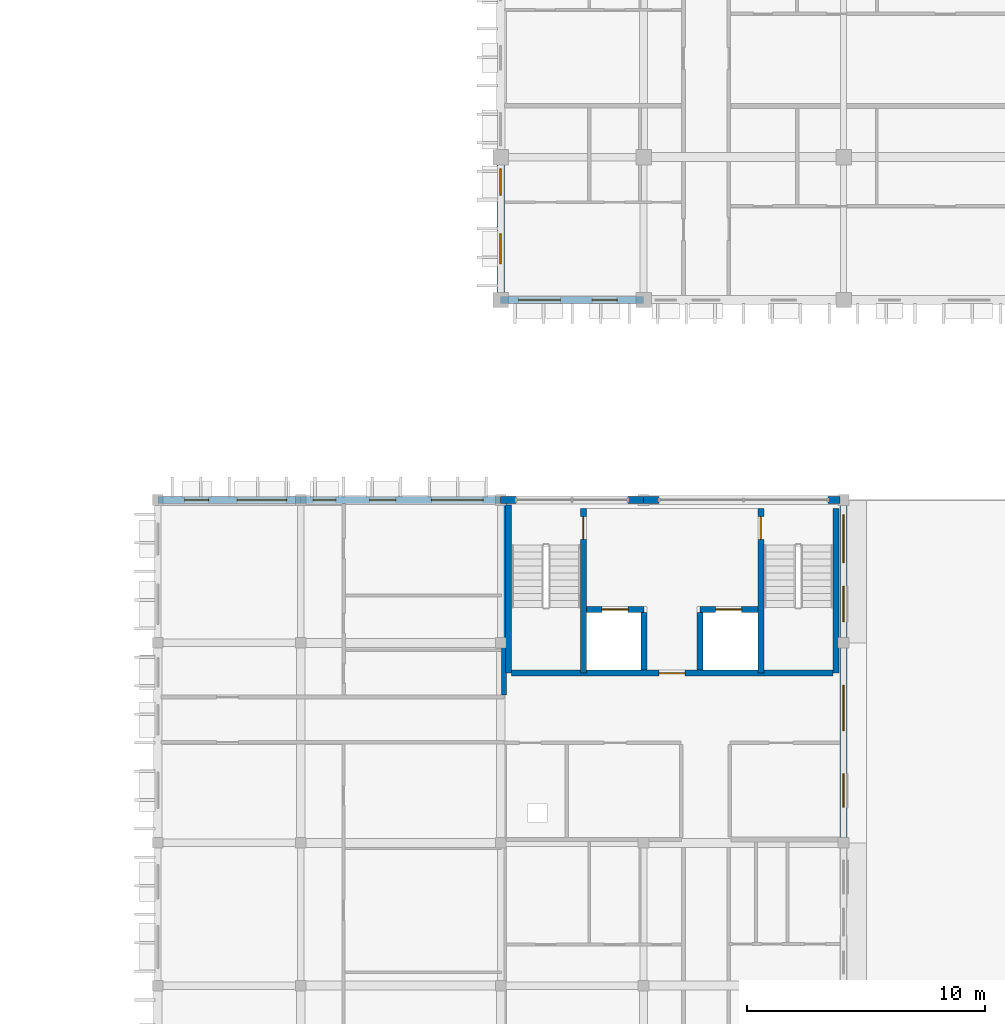
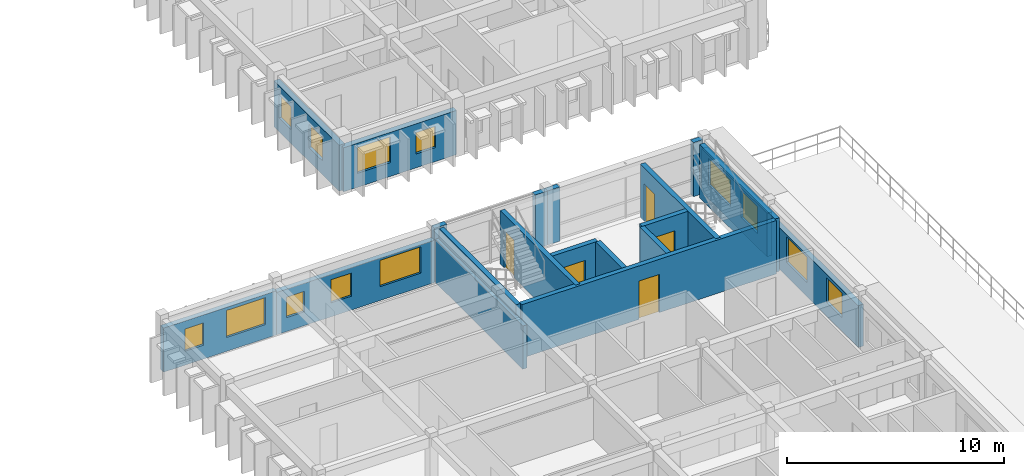
# One storey, part 32 of 66: 20 walls, 13 windows, 5 doors, 18 openings.
"""IFC4 building model written with IfcOpenShell, lengths in metres."""

from ifc_helpers import new_model, si_unit, direction, frame, frame_2d, origin, place, context, subcontext, project, spatial, rectangle, extrude, material, layer, layer_set, type_object, element, fill, save


model = new_model("IFC4")

# Units and contexts
model_context = context("Model", 3, precision=1e-05, world=origin(), true_north=direction((0.0, 1.0)))
body_context = subcontext(model_context, "Body", "Model", "MODEL_VIEW")
ifc_project = project(units=[si_unit("LENGTHUNIT", "METRE"), si_unit("AREAUNIT", "SQUARE_METRE"), si_unit("VOLUMEUNIT", "CUBIC_METRE"), si_unit("PLANEANGLEUNIT", "RADIAN"), si_unit("MASSUNIT", "GRAM", prefix="KILO"), si_unit("THERMODYNAMICTEMPERATUREUNIT", "KELVIN")], contexts=[model_context])

# Site, building, storey
site_placement = place(None, origin())
site = spatial("IfcSite", under=ifc_project, at=site_placement, CompositionType="ELEMENT")
building_placement = place(site_placement, origin())
building = spatial("IfcBuilding", under=site, at=building_placement, Name="Thalorik Housing Commons", CompositionType="ELEMENT")
storey_placement = place(building_placement, frame((0.0, 0.0, 21.300048828125)))
storey = spatial("IfcBuildingStorey", under=building, at=storey_placement, Name="L06", CompositionType="ELEMENT", Elevation=21.300048828125)

# Wall, opening, door
ifc_material_1 = material(Name="Concrete C40/50", Category="concrete")
ifc_layer_1 = layer(ifc_material_1, 0.25, Name="Concrete C40/50", Category="concrete")
ifc_layer_set_1 = layer_set([ifc_layer_1], Name="Concrete C40/50")
wall_type_1 = type_object("IfcWallType", Name="ARC-WAL-CORE-250", PredefinedType="SHEAR", material=ifc_layer_set_1)
wall_1_placement = place(storey_placement, frame((155.875, 71.64990234375, 0.0), z_axis=(0.0, 0.0, 1.0), x_axis=(0.0, -1.0, 0.0)))
wall_1 = element("IfcWall", 1, at=wall_1_placement, inside=storey, type_object=wall_type_1, Name="L06 Core D Stair 1 Shear Wall", PredefinedType="SHEAR", context=body_context, shape_type="SweptSolid", body=[
    extrude(rectangle(XDim=6.9248046875, YDim=0.25, at=frame_2d((3.46240234375, 0.0))), origin(), (0.0, 0.0, 1.0), 3.0),
])
opening_1_placement = place(wall_1_placement, frame((0.35009765625, 0.0, 0.0)))
opening_1 = element("IfcOpeningElement", 2, at=opening_1_placement, cuts=wall_1, Name="Opening ID-0401", PredefinedType="OPENING", context=body_context, shape_type="SweptSolid", body=[
    extrude(rectangle(XDim=0.949951171875, YDim=2.10009765625, at=frame_2d((0.47509765625, 1.050048828125))), frame((0.0, 0.135009765625, 0.0), z_axis=(0.0, -1.0, 0.0), x_axis=(1.0, 0.0, 0.0)), (0.0, 0.0, 1.0), 0.27001953125),
])
ifc_material_2 = material(Name="Steel S355", Category="steel")
door_type_1 = type_object("IfcDoorType", Name="ARC-DR-FD60-950", OperationType="NOTDEFINED", PredefinedType="DOOR", material=ifc_material_2)
door_1_placement = place(opening_1_placement, origin())
door_1 = element("IfcDoor", 3, at=door_1_placement, inside=storey, type_object=door_type_1, Name="L06 Stair ST-D1 Fire Door", OperationType="SINGLE_SWING_RIGHT", OverallHeight=2.10009765625, OverallWidth=0.949951171875, PredefinedType="DOOR", context=body_context, shape_type="SweptSolid", body=[
    extrude(rectangle(XDim=0.949951171875, YDim=2.10009765625, at=frame_2d((0.47509765625, 1.050048828125))), frame((0.0, 0.02490234375, 0.0), z_axis=(0.0, -1.0, 0.0), x_axis=(1.0, 0.0, 0.0)), (0.0, 0.0, 1.0), 0.050048828125),
])
fill(opening_1, door_1)

# Walls
wall_2_placement = place(storey_placement, frame((152.72509765625, 71.800048828125, 0.0), z_axis=(0.0, 0.0, 1.0), x_axis=(0.0, -1.0, 0.0)))
element("IfcWall", 4, at=wall_2_placement, inside=storey, type_object=wall_type_1, Name="L06 Core D Stair 1 Outer Shear Wall", PredefinedType="SHEAR", context=body_context, shape_type="SweptSolid", body=[
    extrude(rectangle(XDim=7.074951171875, YDim=0.25, at=frame_2d((3.53759765625, 0.0))), origin(), (0.0, 0.0, 1.0), 3.0),
])
wall_3_placement = place(storey_placement, frame((166.47509765625, 71.64990234375, 0.0), z_axis=(0.0, 0.0, 1.0), x_axis=(0.0, -1.0, 0.0)))
element("IfcWall", 5, at=wall_3_placement, inside=storey, type_object=wall_type_1, Name="L06 Core D Stair 2 Outer Shear Wall", PredefinedType="SHEAR", context=body_context, shape_type="SweptSolid", body=[
    extrude(rectangle(XDim=6.9248046875, YDim=0.25, at=frame_2d((3.46240234375, 0.0))), origin(), (0.0, 0.0, 1.0), 3.0),
])

# Wall, opening, door
wall_4_placement = place(storey_placement, frame((163.324951171875, 71.64990234375, 0.0), z_axis=(0.0, 0.0, 1.0), x_axis=(0.0, -1.0, 0.0)))
wall_4 = element("IfcWall", 6, at=wall_4_placement, inside=storey, type_object=wall_type_1, Name="L06 Core D Stair 2 Shear Wall", PredefinedType="SHEAR", context=body_context, shape_type="SweptSolid", body=[
    extrude(rectangle(XDim=6.9248046875, YDim=0.25, at=frame_2d((3.46240234375, 0.0))), origin(), (0.0, 0.0, 1.0), 3.0),
])
opening_2_placement = place(wall_4_placement, frame((0.35009765625, 0.0, 0.0)))
opening_2 = element("IfcOpeningElement", 7, at=opening_2_placement, cuts=wall_4, Name="Opening ID-0402", PredefinedType="OPENING", context=body_context, shape_type="SweptSolid", body=[
    extrude(rectangle(XDim=0.949951171875, YDim=2.10009765625, at=frame_2d((0.47509765625, 1.050048828125))), frame((0.0, 0.135009765625, 0.0), z_axis=(0.0, -1.0, 0.0), x_axis=(1.0, 0.0, 0.0)), (0.0, 0.0, 1.0), 0.27001953125),
])
door_2_placement = place(opening_2_placement, origin())
door_2 = element("IfcDoor", 8, at=door_2_placement, inside=storey, type_object=door_type_1, Name="L06 Stair ST-D2 Fire Door", OperationType="SINGLE_SWING_LEFT", OverallHeight=2.10009765625, OverallWidth=0.949951171875, PredefinedType="DOOR", context=body_context, shape_type="SweptSolid", body=[
    extrude(rectangle(XDim=0.949951171875, YDim=2.10009765625, at=frame_2d((0.47509765625, 1.050048828125))), frame((0.0, 0.02490234375, 0.0), z_axis=(0.0, -1.0, 0.0), x_axis=(1.0, 0.0, 0.0)), (0.0, 0.0, 1.0), 0.050048828125),
])
fill(opening_2, door_2)

wall_5_placement = place(storey_placement, frame((156.0, 67.39990234375, 0.0), z_axis=(0.0, 0.0, 1.0), x_axis=(1.0, 0.0, 0.0)))
wall_5 = element("IfcWall", 9, at=wall_5_placement, inside=storey, type_object=wall_type_1, Name="L06 Lift LP-D1 Front Shaft Wall", PredefinedType="SHEAR", context=body_context, shape_type="SweptSolid", body=[
    extrude(rectangle(XDim=2.425048828125, YDim=0.25, at=frame_2d((1.21240234375, 0.0))), origin(), (0.0, 0.0, 1.0), 3.0),
])
opening_3_placement = place(wall_5_placement, frame((0.64990234375, 0.0, 0.0)))
opening_3 = element("IfcOpeningElement", 10, at=opening_3_placement, cuts=wall_5, Name="Opening LD-LP-D1-L06", PredefinedType="OPENING", context=body_context, shape_type="SweptSolid", body=[
    extrude(rectangle(XDim=1.10009765625, YDim=2.14990234375, at=frame_2d((0.550048828125, 1.074951171875))), frame((0.0, 0.135009765625, 0.0), z_axis=(0.0, -1.0, 0.0), x_axis=(1.0, 0.0, 0.0)), (0.0, 0.0, 1.0), 0.27001953125),
])
door_type_2 = type_object("IfcDoorType", Name="ARC-DR-LIFT-1100", OperationType="NOTDEFINED", PredefinedType="DOOR", material=ifc_material_2)
door_3_placement = place(opening_3_placement, origin())
door_3 = element("IfcDoor", 11, at=door_3_placement, inside=storey, type_object=door_type_2, Name="L06 Lift LP-D1 Landing Door", OperationType="SLIDING_TO_LEFT", OverallHeight=2.14990234375, OverallWidth=1.10009765625, PredefinedType="DOOR", context=body_context, shape_type="SweptSolid", body=[
    extrude(rectangle(XDim=1.10009765625, YDim=2.14990234375, at=frame_2d((0.550048828125, 1.074951171875))), frame((0.0, 0.02490234375, 0.0), z_axis=(0.0, -1.0, 0.0), x_axis=(1.0, 0.0, 0.0)), (0.0, 0.0, 1.0), 0.050048828125),
])
fill(opening_3, door_3)

wall_6_placement = place(storey_placement, frame((160.77490234375, 67.39990234375, 0.0), z_axis=(0.0, 0.0, 1.0), x_axis=(1.0, 0.0, 0.0)))
wall_6 = element("IfcWall", 12, at=wall_6_placement, inside=storey, type_object=wall_type_1, Name="L06 Lift LP-D2 Front Shaft Wall", PredefinedType="SHEAR", context=body_context, shape_type="SweptSolid", body=[
    extrude(rectangle(XDim=2.425048828125, YDim=0.25, at=frame_2d((1.21240234375, 0.0))), origin(), (0.0, 0.0, 1.0), 3.0),
])
opening_4_placement = place(wall_6_placement, frame((0.64990234375, 0.0, 0.0)))
opening_4 = element("IfcOpeningElement", 13, at=opening_4_placement, cuts=wall_6, Name="Opening LD-LP-D2-L06", PredefinedType="OPENING", context=body_context, shape_type="SweptSolid", body=[
    extrude(rectangle(XDim=1.10009765625, YDim=2.14990234375, at=frame_2d((0.550048828125, 1.074951171875))), frame((0.0, 0.135009765625, 0.0), z_axis=(0.0, -1.0, 0.0), x_axis=(1.0, 0.0, 0.0)), (0.0, 0.0, 1.0), 0.27001953125),
])
door_4_placement = place(opening_4_placement, origin())
door_4 = element("IfcDoor", 14, at=door_4_placement, inside=storey, type_object=door_type_2, Name="L06 Lift LP-D2 Landing Door", OperationType="SLIDING_TO_LEFT", OverallHeight=2.14990234375, OverallWidth=1.10009765625, PredefinedType="DOOR", context=body_context, shape_type="SweptSolid", body=[
    extrude(rectangle(XDim=1.10009765625, YDim=2.14990234375, at=frame_2d((0.550048828125, 1.074951171875))), frame((0.0, 0.02490234375, 0.0), z_axis=(0.0, -1.0, 0.0), x_axis=(1.0, 0.0, 0.0)), (0.0, 0.0, 1.0), 0.050048828125),
])
fill(opening_4, door_4)

# Walls
for number, where, z_axis, x_axis, name in (
    (15, (158.425048828125, 67.27490234375, 0.0), (0.0, 0.0, 1.0), (0.0, -1.0, 0.0), "L06 Lift 1 Cheek Wall"),
    (16, (160.77490234375, 67.27490234375, 0.0), (0.0, 0.0, 1.0), (0.0, -1.0, 0.0), "L06 Lift 2 Cheek Wall"),
):
    element("IfcWall", number, at=place(storey_placement, frame(where, z_axis=z_axis, x_axis=x_axis)), inside=storey, type_object=wall_type_1, Name=name, PredefinedType="SHEAR", context=body_context, shape_type="SweptSolid", body=[
        extrude(rectangle(XDim=2.4248046875, YDim=0.25, at=frame_2d((1.21240234375, 0.0))), origin(), (0.0, 0.0, 1.0), 3.0),
    ])

# Wall, opening, door
wall_7_placement = place(storey_placement, frame((152.85009765625, 64.72509765625, 0.0), z_axis=(0.0, 0.0, 1.0), x_axis=(1.0, 0.0, 0.0)))
wall_7 = element("IfcWall", 17, at=wall_7_placement, inside=storey, type_object=wall_type_1, Name="L06 Core D Spine Shear Wall", PredefinedType="SHEAR", context=body_context, shape_type="SweptSolid", body=[
    extrude(rectangle(XDim=13.5, YDim=0.25, at=frame_2d((6.75, 0.0))), origin(), (0.0, 0.0, 1.0), 3.0),
])
opening_5_placement = place(wall_7_placement, frame((6.199951171875, 0.0, 0.0)))
opening_5 = element("IfcOpeningElement", 18, at=opening_5_placement, cuts=wall_7, Name="Opening ID-0405", PredefinedType="OPENING", context=body_context, shape_type="SweptSolid", body=[
    extrude(rectangle(XDim=1.10009765625, YDim=2.14990234375, at=frame_2d((0.550048828125, 1.074951171875))), frame((0.0, 0.135009765625, 0.0), z_axis=(0.0, -1.0, 0.0), x_axis=(1.0, 0.0, 0.0)), (0.0, 0.0, 1.0), 0.27001953125),
])
door_type_3 = type_object("IfcDoorType", Name="ARC-DR-FD60-1100", OperationType="NOTDEFINED", PredefinedType="DOOR", material=ifc_material_2)
door_5_placement = place(opening_5_placement, origin())
door_5 = element("IfcDoor", 19, at=door_5_placement, inside=storey, type_object=door_type_3, Name="L06 Core D Lobby Fire Door", OperationType="SINGLE_SWING_RIGHT", OverallHeight=2.14990234375, OverallWidth=1.10009765625, PredefinedType="DOOR", context=body_context, shape_type="SweptSolid", body=[
    extrude(rectangle(XDim=1.10009765625, YDim=2.14990234375, at=frame_2d((0.550048828125, 1.074951171875))), frame((0.0, 0.02490234375, 0.0), z_axis=(0.0, -1.0, 0.0), x_axis=(1.0, 0.0, 0.0)), (0.0, 0.0, 1.0), 0.050048828125),
])
fill(opening_5, door_5)

# Wall, openings, windows
ifc_material_3 = material(Name="White precast concrete C40/50", Category="concrete")
ifc_layer_2 = layer(ifc_material_3, 0.27490234375, Name="White precast concrete C40/50", Category="concrete")
ifc_layer_set_2 = layer_set([ifc_layer_2], Name="White precast concrete C40/50")
wall_type_2 = type_object("IfcWallType", Name="ARC-WAL-EXT-275", PredefinedType="STANDARD", material=ifc_layer_set_2)
wall_8_placement = place(storey_placement, frame((152.39990234375, 72.0, 0.0), z_axis=(0.0, 0.0, 1.0), x_axis=(-1.0, 0.0, 0.0)))
wall_8 = element("IfcWall", 20, at=wall_8_placement, inside=storey, type_object=wall_type_2, Name="L06 Exterior Wall WAL-EXT-L06-D-1225", PredefinedType="STANDARD", context=body_context, shape_type="SweptSolid", body=[
    extrude(rectangle(XDim=8.39990234375, YDim=0.27490234375, at=frame_2d((4.199951171875, 0.0))), origin(), (0.0, 0.0, 1.0), 2.375),
])
opening_6_placement = place(wall_8_placement, frame((0.73486328125, 0.0, 0.780029296875)))
opening_6 = element("IfcOpeningElement", 21, at=opening_6_placement, cuts=wall_8, Name="Opening W-65", PredefinedType="OPENING", context=body_context, shape_type="SweptSolid", body=[
    extrude(rectangle(XDim=2.179931640625, YDim=1.47998046875, at=frame_2d((1.08984375, 0.739990234375))), frame((0.0, 0.1474609375, 0.0), z_axis=(0.0, -1.0, 0.0), x_axis=(1.0, 0.0, 0.0)), (0.0, 0.0, 1.0), 0.294921875),
])
opening_7_placement = place(wall_8_placement, frame((4.40478515625, 0.0, 0.780029296875)))
opening_7 = element("IfcOpeningElement", 22, at=opening_7_placement, cuts=wall_8, Name="Opening W-03", PredefinedType="OPENING", context=body_context, shape_type="SweptSolid", body=[
    extrude(rectangle(XDim=1.10009765625, YDim=1.300048828125, at=frame_2d((0.550048828125, 0.64990234375))), frame((0.0, 0.1474609375, 0.0), z_axis=(0.0, -1.0, 0.0), x_axis=(1.0, 0.0, 0.0)), (0.0, 0.0, 1.0), 0.294921875),
])
opening_8_placement = place(wall_8_placement, frame((6.9248046875, 0.0, 0.780029296875)))
opening_8 = element("IfcOpeningElement", 23, at=opening_8_placement, cuts=wall_8, Name="Opening W-43", PredefinedType="OPENING", context=body_context, shape_type="SweptSolid", body=[
    extrude(rectangle(XDim=0.949951171875, YDim=1.14990234375, at=frame_2d((0.47509765625, 0.574951171875))), frame((0.0, 0.1474609375, 0.0), z_axis=(0.0, -1.0, 0.0), x_axis=(1.0, 0.0, 0.0)), (0.0, 0.0, 1.0), 0.294921875),
])
ifc_material_4 = material(Name="Anodised aluminium and solar-control low-E glass", Category="aluminium")
window_type_1 = type_object("IfcWindowType", Name="ARC-WIN-03", PartitioningType="SINGLE_PANEL", PredefinedType="WINDOW", material=ifc_material_4)
window_1_placement = place(opening_7_placement, origin())
window_1 = element("IfcWindow", 24, at=window_1_placement, inside=storey, type_object=window_type_1, Name="L06 Facade Window 2234", OverallHeight=1.300048828125, OverallWidth=1.10009765625, PartitioningType="SINGLE_PANEL", PredefinedType="WINDOW", context=body_context, shape_type="SweptSolid", body=[
    extrude(rectangle(XDim=1.10009765625, YDim=1.300048828125, at=frame_2d((0.550048828125, 0.64990234375))), frame((0.0, 0.030029296875, 0.0), z_axis=(0.0, -1.0, 0.0), x_axis=(1.0, 0.0, 0.0)), (0.0, 0.0, 1.0), 0.06005859375),
])
fill(opening_7, window_1)
window_type_2 = type_object("IfcWindowType", Name="ARC-WIN-43", PartitioningType="SINGLE_PANEL", PredefinedType="WINDOW", material=ifc_material_4)
window_2_placement = place(opening_8_placement, origin())
window_2 = element("IfcWindow", 25, at=window_2_placement, inside=storey, type_object=window_type_2, Name="L06 Facade Window 2235", OverallHeight=1.14990234375, OverallWidth=0.949951171875, PartitioningType="SINGLE_PANEL", PredefinedType="WINDOW", context=body_context, shape_type="SweptSolid", body=[
    extrude(rectangle(XDim=0.949951171875, YDim=1.14990234375, at=frame_2d((0.47509765625, 0.574951171875))), frame((0.0, 0.030029296875, 0.0), z_axis=(0.0, -1.0, 0.0), x_axis=(1.0, 0.0, 0.0)), (0.0, 0.0, 1.0), 0.06005859375),
])
fill(opening_8, window_2)
window_type_3 = type_object("IfcWindowType", Name="ARC-WIN-65", PartitioningType="DOUBLE_PANEL_VERTICAL", PredefinedType="WINDOW", material=ifc_material_4)
window_3_placement = place(opening_6_placement, origin())
window_3 = element("IfcWindow", 26, at=window_3_placement, inside=storey, type_object=window_type_3, Name="L06 Facade Window 2233", OverallHeight=1.47998046875, OverallWidth=2.179931640625, PartitioningType="DOUBLE_PANEL_VERTICAL", PredefinedType="WINDOW", context=body_context, shape_type="SweptSolid", body=[
    extrude(rectangle(XDim=2.179931640625, YDim=1.47998046875, at=frame_2d((1.08984375, 0.739990234375))), frame((0.0, 0.030029296875, 0.0), z_axis=(0.0, -1.0, 0.0), x_axis=(1.0, 0.0, 0.0)), (0.0, 0.0, 1.0), 0.06005859375),
])
fill(opening_6, window_3)

wall_9_placement = place(storey_placement, frame((144.0, 72.0, 0.0), z_axis=(0.0, 0.0, 1.0), x_axis=(-1.0, 0.0, 0.0)))
wall_9 = element("IfcWall", 27, at=wall_9_placement, inside=storey, type_object=wall_type_2, Name="L06 Exterior Wall WAL-EXT-L06-D-1226", PredefinedType="STANDARD", context=body_context, shape_type="SweptSolid", body=[
    extrude(rectangle(XDim=6.0, YDim=0.27490234375, at=frame_2d((3.0, 0.0))), origin(), (0.0, 0.0, 1.0), 2.474853515625),
])
opening_9_placement = place(wall_9_placement, frame((0.590087890625, 0.0, 0.780029296875)))
opening_9 = element("IfcOpeningElement", 28, at=opening_9_placement, cuts=wall_9, Name="Opening W-63", PredefinedType="OPENING", context=body_context, shape_type="SweptSolid", body=[
    extrude(rectangle(XDim=2.080078125, YDim=1.52001953125, at=frame_2d((1.0400390625, 0.760009765625))), frame((0.0, 0.1474609375, 0.0), z_axis=(0.0, -1.0, 0.0), x_axis=(1.0, 0.0, 0.0)), (0.0, 0.0, 1.0), 0.294921875),
])
opening_10_placement = place(wall_9_placement, frame((3.8701171875, 0.0, 0.780029296875)))
opening_10 = element("IfcOpeningElement", 29, at=opening_10_placement, cuts=wall_9, Name="Opening W-02", PredefinedType="OPENING", context=body_context, shape_type="SweptSolid", body=[
    extrude(rectangle(XDim=1.0, YDim=1.25, at=frame_2d((0.5, 0.625))), frame((0.0, 0.1474609375, 0.0), z_axis=(0.0, -1.0, 0.0), x_axis=(1.0, 0.0, 0.0)), (0.0, 0.0, 1.0), 0.294921875),
])
window_type_4 = type_object("IfcWindowType", Name="ARC-WIN-02", PartitioningType="SINGLE_PANEL", PredefinedType="WINDOW", material=ifc_material_4)
window_4_placement = place(opening_10_placement, origin())
window_4 = element("IfcWindow", 30, at=window_4_placement, inside=storey, type_object=window_type_4, Name="L06 Facade Window 2237", OverallHeight=1.25, OverallWidth=1.0, PartitioningType="SINGLE_PANEL", PredefinedType="WINDOW", context=body_context, shape_type="SweptSolid", body=[
    extrude(rectangle(XDim=1.0, YDim=1.25, at=frame_2d((0.5, 0.625))), frame((0.0, 0.030029296875, 0.0), z_axis=(0.0, -1.0, 0.0), x_axis=(1.0, 0.0, 0.0)), (0.0, 0.0, 1.0), 0.06005859375),
])
fill(opening_10, window_4)
window_type_5 = type_object("IfcWindowType", Name="ARC-WIN-63", PartitioningType="DOUBLE_PANEL_VERTICAL", PredefinedType="WINDOW", material=ifc_material_4)
window_5_placement = place(opening_9_placement, origin())
window_5 = element("IfcWindow", 31, at=window_5_placement, inside=storey, type_object=window_type_5, Name="L06 Facade Window 2236", OverallHeight=1.52001953125, OverallWidth=2.080078125, PartitioningType="DOUBLE_PANEL_VERTICAL", PredefinedType="WINDOW", context=body_context, shape_type="SweptSolid", body=[
    extrude(rectangle(XDim=2.080078125, YDim=1.52001953125, at=frame_2d((1.0400390625, 0.760009765625))), frame((0.0, 0.030029296875, 0.0), z_axis=(0.0, -1.0, 0.0), x_axis=(1.0, 0.0, 0.0)), (0.0, 0.0, 1.0), 0.06005859375),
])
fill(opening_9, window_5)

wall_10_placement = place(storey_placement, frame((166.800048828125, 57.60009765625, 0.0), z_axis=(0.0, 0.0, 1.0), x_axis=(0.0, 1.0, 0.0)))
wall_10 = element("IfcWall", 32, at=wall_10_placement, inside=storey, type_object=wall_type_2, Name="L06 Exterior Wall WAL-EXT-L06-D-1239", PredefinedType="STANDARD", context=body_context, shape_type="SweptSolid", body=[
    extrude(rectangle(XDim=8.39990234375, YDim=0.27490234375, at=frame_2d((4.199951171875, 0.0))), origin(), (0.0, 0.0, 1.0), 2.344970703125),
])
opening_11_placement = place(wall_10_placement, frame((1.485107421875, 0.0, 0.780029296875)))
opening_11 = element("IfcOpeningElement", 33, at=opening_11_placement, cuts=wall_10, Name="Opening W-50", PredefinedType="OPENING", context=body_context, shape_type="SweptSolid", body=[
    extrude(rectangle(XDim=1.419921875, YDim=1.3798828125, at=frame_2d((0.7099609375, 0.68994140625))), frame((0.0, 0.1474609375, 0.0), z_axis=(0.0, -1.0, 0.0), x_axis=(1.0, 0.0, 0.0)), (0.0, 0.0, 1.0), 0.294921875),
])
opening_12_placement = place(wall_10_placement, frame((4.702392578125, 0.0, 0.780029296875)))
opening_12 = element("IfcOpeningElement", 34, at=opening_12_placement, cuts=wall_10, Name="Opening W-60", PredefinedType="OPENING", context=body_context, shape_type="SweptSolid", body=[
    extrude(rectangle(XDim=1.919921875, YDim=1.43994140625, at=frame_2d((0.9599609375, 0.719970703125))), frame((0.0, 0.1474609375, 0.0), z_axis=(0.0, -1.0, 0.0), x_axis=(1.0, 0.0, 0.0)), (0.0, 0.0, 1.0), 0.294921875),
])
window_type_6 = type_object("IfcWindowType", Name="ARC-WIN-50", PartitioningType="SINGLE_PANEL", PredefinedType="WINDOW", material=ifc_material_4)
window_6_placement = place(opening_11_placement, origin())
window_6 = element("IfcWindow", 35, at=window_6_placement, inside=storey, type_object=window_type_6, Name="L06 Facade Window 2262", OverallHeight=1.3798828125, OverallWidth=1.419921875, PartitioningType="SINGLE_PANEL", PredefinedType="WINDOW", context=body_context, shape_type="SweptSolid", body=[
    extrude(rectangle(XDim=1.419921875, YDim=1.3798828125, at=frame_2d((0.7099609375, 0.68994140625))), frame((0.0, 0.030029296875, 0.0), z_axis=(0.0, -1.0, 0.0), x_axis=(1.0, 0.0, 0.0)), (0.0, 0.0, 1.0), 0.06005859375),
])
fill(opening_11, window_6)
window_type_7 = type_object("IfcWindowType", Name="ARC-WIN-60", PartitioningType="DOUBLE_PANEL_VERTICAL", PredefinedType="WINDOW", material=ifc_material_4)
window_7_placement = place(opening_12_placement, origin())
window_7 = element("IfcWindow", 36, at=window_7_placement, inside=storey, type_object=window_type_7, Name="L06 Facade Window 2263", OverallHeight=1.43994140625, OverallWidth=1.919921875, PartitioningType="DOUBLE_PANEL_VERTICAL", PredefinedType="WINDOW", context=body_context, shape_type="SweptSolid", body=[
    extrude(rectangle(XDim=1.919921875, YDim=1.43994140625, at=frame_2d((0.9599609375, 0.719970703125))), frame((0.0, 0.030029296875, 0.0), z_axis=(0.0, -1.0, 0.0), x_axis=(1.0, 0.0, 0.0)), (0.0, 0.0, 1.0), 0.06005859375),
])
fill(opening_12, window_7)

wall_11_placement = place(storey_placement, frame((166.800048828125, 66.0, 0.0), z_axis=(0.0, 0.0, 1.0), x_axis=(0.0, 1.0, 0.0)))
wall_11 = element("IfcWall", 37, at=wall_11_placement, inside=storey, type_object=wall_type_2, Name="L06 Exterior Wall WAL-EXT-L06-D-1240", PredefinedType="STANDARD", context=body_context, shape_type="SweptSolid", body=[
    extrude(rectangle(XDim=6.0, YDim=0.27490234375, at=frame_2d((3.0, 0.0))), origin(), (0.0, 0.0, 1.0), 2.445068359375),
])
opening_13_placement = place(wall_11_placement, frame((0.8798828125, 0.0, 0.780029296875)))
opening_13 = element("IfcOpeningElement", 38, at=opening_13_placement, cuts=wall_11, Name="Opening W-10", PredefinedType="OPENING", context=body_context, shape_type="SweptSolid", body=[
    extrude(rectangle(XDim=1.5, YDim=1.5, at=frame_2d((0.75, 0.75))), frame((0.0, 0.1474609375, 0.0), z_axis=(0.0, -1.0, 0.0), x_axis=(1.0, 0.0, 0.0)), (0.0, 0.0, 1.0), 0.294921875),
])
opening_14_placement = place(wall_11_placement, frame((3.3701171875, 0.0, 0.780029296875)))
opening_14 = element("IfcOpeningElement", 39, at=opening_14_placement, cuts=wall_11, Name="Opening W-23", PredefinedType="OPENING", context=body_context, shape_type="SweptSolid", body=[
    extrude(rectangle(XDim=2.0, YDim=1.5, at=frame_2d((1.0, 0.75))), frame((0.0, 0.1474609375, 0.0), z_axis=(0.0, -1.0, 0.0), x_axis=(1.0, 0.0, 0.0)), (0.0, 0.0, 1.0), 0.294921875),
])
window_type_8 = type_object("IfcWindowType", Name="ARC-WIN-10", PartitioningType="SINGLE_PANEL", PredefinedType="WINDOW", material=ifc_material_4)
window_8_placement = place(opening_13_placement, origin())
window_8 = element("IfcWindow", 40, at=window_8_placement, inside=storey, type_object=window_type_8, Name="L06 Facade Window 2264", OverallHeight=1.5, OverallWidth=1.5, PartitioningType="SINGLE_PANEL", PredefinedType="WINDOW", context=body_context, shape_type="SweptSolid", body=[
    extrude(rectangle(XDim=1.5, YDim=1.5, at=frame_2d((0.75, 0.75))), frame((0.0, 0.030029296875, 0.0), z_axis=(0.0, -1.0, 0.0), x_axis=(1.0, 0.0, 0.0)), (0.0, 0.0, 1.0), 0.06005859375),
])
fill(opening_13, window_8)
window_type_9 = type_object("IfcWindowType", Name="ARC-WIN-23", PartitioningType="DOUBLE_PANEL_VERTICAL", PredefinedType="WINDOW", material=ifc_material_4)
window_9_placement = place(opening_14_placement, origin())
window_9 = element("IfcWindow", 41, at=window_9_placement, inside=storey, type_object=window_type_9, Name="L06 Facade Window 2265", OverallHeight=1.5, OverallWidth=2.0, PartitioningType="DOUBLE_PANEL_VERTICAL", PredefinedType="WINDOW", context=body_context, shape_type="SweptSolid", body=[
    extrude(rectangle(XDim=2.0, YDim=1.5, at=frame_2d((1.0, 0.75))), frame((0.0, 0.030029296875, 0.0), z_axis=(0.0, -1.0, 0.0), x_axis=(1.0, 0.0, 0.0)), (0.0, 0.0, 1.0), 0.06005859375),
])
fill(opening_14, window_9)

# Walls
wall_12_placement = place(storey_placement, frame((166.660400390625, 72.0, 0.0), z_axis=(0.0, 0.0, 1.0), x_axis=(-1.0, 0.0, 0.0)))
element("IfcWall", 42, at=wall_12_placement, inside=storey, type_object=wall_type_2, Name="L06 Exterior Wall WAL-PIERL-L06-D-1241", PredefinedType="STANDARD", context=body_context, shape_type="SweptSolid", body=[
    extrude(rectangle(XDim=0.510498046875, YDim=0.27490234375, at=frame_2d((0.25537109375, 0.0))), origin(), (0.0, 0.0, 1.0), 3.0400390625),
])
wall_13_placement = place(storey_placement, frame((159.050048828125, 72.0, 0.0), z_axis=(0.0, 0.0, 1.0), x_axis=(-1.0, 0.0, 0.0)))
element("IfcWall", 43, at=wall_13_placement, inside=storey, type_object=wall_type_2, Name="L06 Exterior Wall WAL-PIERR-L06-D-1241", PredefinedType="STANDARD", context=body_context, shape_type="SweptSolid", body=[
    extrude(rectangle(XDim=0.650146484375, YDim=0.27490234375, at=frame_2d((0.3251953125, 0.0))), origin(), (0.0, 0.0, 1.0), 3.0400390625),
])
wall_14_placement = place(storey_placement, frame((158.39990234375, 72.0, 0.0), z_axis=(0.0, 0.0, 1.0), x_axis=(-1.0, 0.0, 0.0)))
element("IfcWall", 44, at=wall_14_placement, inside=storey, type_object=wall_type_2, Name="L06 Exterior Wall WAL-PIERL-L06-D-1242", PredefinedType="STANDARD", context=body_context, shape_type="SweptSolid", body=[
    extrude(rectangle(XDim=0.64990234375, YDim=0.27490234375, at=frame_2d((0.324951171875, 0.0))), origin(), (0.0, 0.0, 1.0), 3.0400390625),
])
wall_15_placement = place(storey_placement, frame((153.050048828125, 72.0, 0.0), z_axis=(0.0, 0.0, 1.0), x_axis=(-1.0, 0.0, 0.0)))
element("IfcWall", 45, at=wall_15_placement, inside=storey, type_object=wall_type_2, Name="L06 Exterior Wall WAL-PIERR-L06-D-1242", PredefinedType="STANDARD", context=body_context, shape_type="SweptSolid", body=[
    extrude(rectangle(XDim=0.650146484375, YDim=0.27490234375, at=frame_2d((0.3251953125, 0.0))), origin(), (0.0, 0.0, 1.0), 3.0400390625),
])

# Wall, openings, windows
ifc_layer_3 = layer(ifc_material_3, 0.304931640625, Name="White precast concrete C40/50", Category="concrete")
ifc_layer_set_3 = layer_set([ifc_layer_3], Name="White precast concrete C40/50")
wall_type_3 = type_object("IfcWallType", Name="ARC-WAL-EXT-305", PredefinedType="STANDARD", material=ifc_layer_set_3)
wall_16_placement = place(storey_placement, frame((152.39990234375, 86.39990234375, 0.0), z_axis=(0.0, 0.0, 1.0), x_axis=(0.0, -1.0, 0.0)))
wall_16 = element("IfcWall", 46, at=wall_16_placement, inside=storey, type_object=wall_type_3, Name="L06 Exterior Wall WAL-EXT-L06-B-0627", PredefinedType="STANDARD", context=body_context, shape_type="SweptSolid", body=[
    extrude(rectangle(XDim=6.0, YDim=0.304931640625, at=frame_2d((3.0, 0.0))), origin(), (0.0, 0.0, 1.0), 2.574951171875),
])
opening_15_placement = place(wall_16_placement, frame((0.492431640625, 0.0, 0.780029296875)))
opening_15 = element("IfcOpeningElement", 47, at=opening_15_placement, cuts=wall_16, Name="Opening W-03", PredefinedType="OPENING", context=body_context, shape_type="SweptSolid", body=[
    extrude(rectangle(XDim=1.10009765625, YDim=1.300048828125, at=frame_2d((0.550048828125, 0.64990234375))), frame((0.0, 0.16259765625, 0.0), z_axis=(0.0, -1.0, 0.0), x_axis=(1.0, 0.0, 0.0)), (0.0, 0.0, 1.0), 0.324951171875),
])
opening_16_placement = place(wall_16_placement, frame((3.2275390625, 0.0, 0.780029296875)))
opening_16 = element("IfcOpeningElement", 48, at=opening_16_placement, cuts=wall_16, Name="Opening W-46", PredefinedType="OPENING", context=body_context, shape_type="SweptSolid", body=[
    extrude(rectangle(XDim=1.25, YDim=1.300048828125, at=frame_2d((0.625, 0.64990234375))), frame((0.0, 0.16259765625, 0.0), z_axis=(0.0, -1.0, 0.0), x_axis=(1.0, 0.0, 0.0)), (0.0, 0.0, 1.0), 0.324951171875),
])
window_10_placement = place(opening_15_placement, origin())
window_10 = element("IfcWindow", 49, at=window_10_placement, inside=storey, type_object=window_type_1, Name="L06 Facade Window 1144", OverallHeight=1.300048828125, OverallWidth=1.10009765625, PartitioningType="SINGLE_PANEL", PredefinedType="WINDOW", context=body_context, shape_type="SweptSolid", body=[
    extrude(rectangle(XDim=1.10009765625, YDim=1.300048828125, at=frame_2d((0.550048828125, 0.64990234375))), frame((0.0, 0.030029296875, 0.0), z_axis=(0.0, -1.0, 0.0), x_axis=(1.0, 0.0, 0.0)), (0.0, 0.0, 1.0), 0.06005859375),
])
fill(opening_15, window_10)
window_type_10 = type_object("IfcWindowType", Name="ARC-WIN-46", PartitioningType="SINGLE_PANEL", PredefinedType="WINDOW", material=ifc_material_4)
window_11_placement = place(opening_16_placement, origin())
window_11 = element("IfcWindow", 50, at=window_11_placement, inside=storey, type_object=window_type_10, Name="L06 Facade Window 1145", OverallHeight=1.300048828125, OverallWidth=1.25, PartitioningType="SINGLE_PANEL", PredefinedType="WINDOW", context=body_context, shape_type="SweptSolid", body=[
    extrude(rectangle(XDim=1.25, YDim=1.300048828125, at=frame_2d((0.625, 0.64990234375))), frame((0.0, 0.030029296875, 0.0), z_axis=(0.0, -1.0, 0.0), x_axis=(1.0, 0.0, 0.0)), (0.0, 0.0, 1.0), 0.06005859375),
])
fill(opening_16, window_11)

wall_17_placement = place(storey_placement, frame((152.39990234375, 80.39990234375, 0.0), z_axis=(0.0, 0.0, 1.0), x_axis=(1.0, 0.0, 0.0)))
wall_17 = element("IfcWall", 51, at=wall_17_placement, inside=storey, type_object=wall_type_3, Name="L06 Exterior Wall WAL-EXT-L06-B-0628", PredefinedType="STANDARD", context=body_context, shape_type="SweptSolid", body=[
    extrude(rectangle(XDim=6.0, YDim=0.304931640625, at=frame_2d((3.0, 0.0))), origin(), (0.0, 0.0, 1.0), 2.474853515625),
])
opening_17_placement = place(wall_17_placement, frame((0.7548828125, 0.0, 0.780029296875)))
opening_17 = element("IfcOpeningElement", 52, at=opening_17_placement, cuts=wall_17, Name="Opening W-17", PredefinedType="OPENING", context=body_context, shape_type="SweptSolid", body=[
    extrude(rectangle(XDim=1.75, YDim=1.449951171875, at=frame_2d((0.875, 0.72509765625))), frame((0.0, 0.16259765625, 0.0), z_axis=(0.0, -1.0, 0.0), x_axis=(1.0, 0.0, 0.0)), (0.0, 0.0, 1.0), 0.324951171875),
])
opening_18_placement = place(wall_17_placement, frame((3.844970703125, 0.0, 0.780029296875)))
opening_18 = element("IfcOpeningElement", 53, at=opening_18_placement, cuts=wall_17, Name="Opening W-44", PredefinedType="OPENING", context=body_context, shape_type="SweptSolid", body=[
    extrude(rectangle(XDim=1.050048828125, YDim=1.199951171875, at=frame_2d((0.52490234375, 0.60009765625))), frame((0.0, 0.16259765625, 0.0), z_axis=(0.0, -1.0, 0.0), x_axis=(1.0, 0.0, 0.0)), (0.0, 0.0, 1.0), 0.324951171875),
])
window_type_11 = type_object("IfcWindowType", Name="ARC-WIN-17", PartitioningType="DOUBLE_PANEL_VERTICAL", PredefinedType="WINDOW", material=ifc_material_4)
window_12_placement = place(opening_17_placement, origin())
window_12 = element("IfcWindow", 54, at=window_12_placement, inside=storey, type_object=window_type_11, Name="L06 Facade Window 1146", OverallHeight=1.449951171875, OverallWidth=1.75, PartitioningType="DOUBLE_PANEL_VERTICAL", PredefinedType="WINDOW", context=body_context, shape_type="SweptSolid", body=[
    extrude(rectangle(XDim=1.75, YDim=1.449951171875, at=frame_2d((0.875, 0.72509765625))), frame((0.0, 0.030029296875, 0.0), z_axis=(0.0, -1.0, 0.0), x_axis=(1.0, 0.0, 0.0)), (0.0, 0.0, 1.0), 0.06005859375),
])
fill(opening_17, window_12)
window_type_12 = type_object("IfcWindowType", Name="ARC-WIN-44", PartitioningType="SINGLE_PANEL", PredefinedType="WINDOW", material=ifc_material_4)
window_13_placement = place(opening_18_placement, origin())
window_13 = element("IfcWindow", 55, at=window_13_placement, inside=storey, type_object=window_type_12, Name="L06 Facade Window 1147", OverallHeight=1.199951171875, OverallWidth=1.050048828125, PartitioningType="SINGLE_PANEL", PredefinedType="WINDOW", context=body_context, shape_type="SweptSolid", body=[
    extrude(rectangle(XDim=1.050048828125, YDim=1.199951171875, at=frame_2d((0.52490234375, 0.60009765625))), frame((0.0, 0.030029296875, 0.0), z_axis=(0.0, -1.0, 0.0), x_axis=(1.0, 0.0, 0.0)), (0.0, 0.0, 1.0), 0.06005859375),
])
fill(opening_18, window_13)

# Wall
ifc_material_5 = material(Name="Precast concrete C40/50 acoustic wall", Category="concrete")
ifc_layer_4 = layer(ifc_material_5, 0.219970703125, Name="Precast concrete C40/50 acoustic wall", Category="concrete")
ifc_layer_set_4 = layer_set([ifc_layer_4], Name="Precast concrete C40/50 acoustic wall")
wall_type_4 = type_object("IfcWallType", Name="ARC-WAL-PARTY-220", PredefinedType="PARTITIONING", material=ifc_layer_set_4)
wall_18_placement = place(storey_placement, frame((152.5400390625, 63.804443359375, 0.0), z_axis=(0.0, 0.0, 1.0), x_axis=(0.0, 1.0, 0.0)))
element("IfcWall", 56, at=wall_18_placement, inside=storey, type_object=wall_type_4, Name="L06 Core End Wall B", PredefinedType="PARTITIONING", context=body_context, shape_type="SweptSolid", body=[
    extrude(rectangle(XDim=8.05615234375, YDim=0.219970703125, at=frame_2d((4.028076171875, 0.0))), origin(), (0.0, 0.0, 1.0), 2.425048828125),
])

save(model, "model.ifc")
